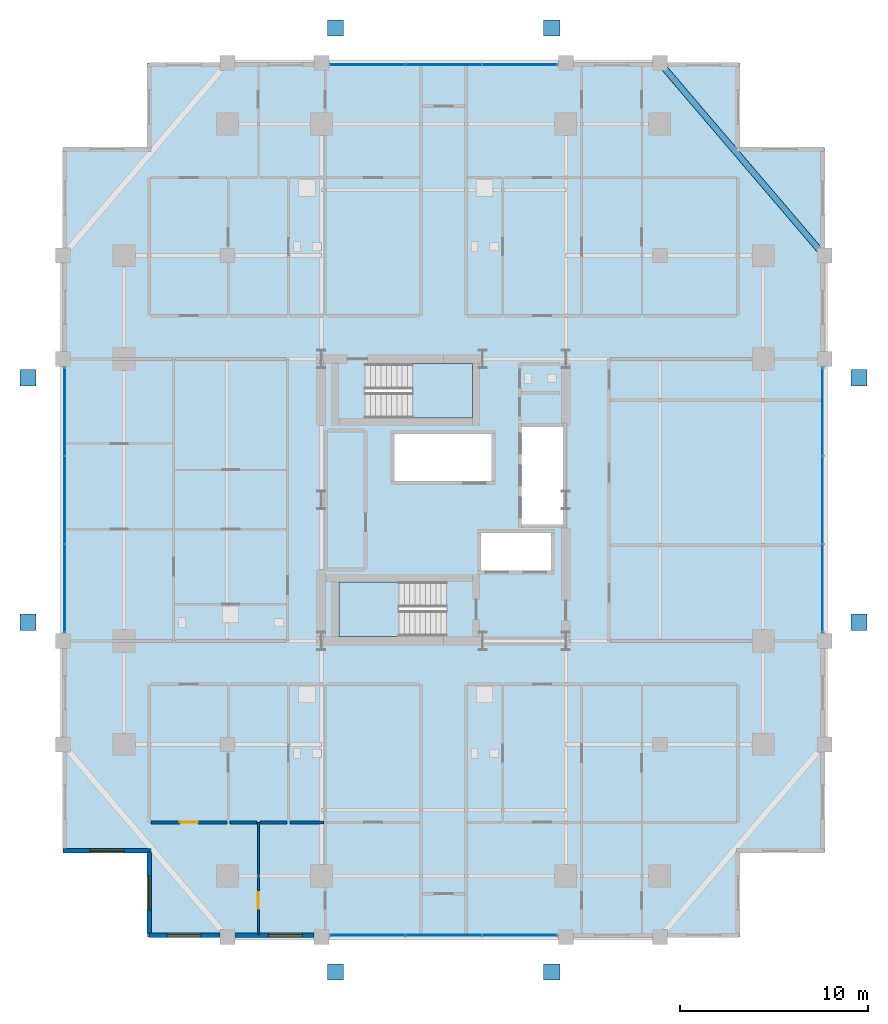
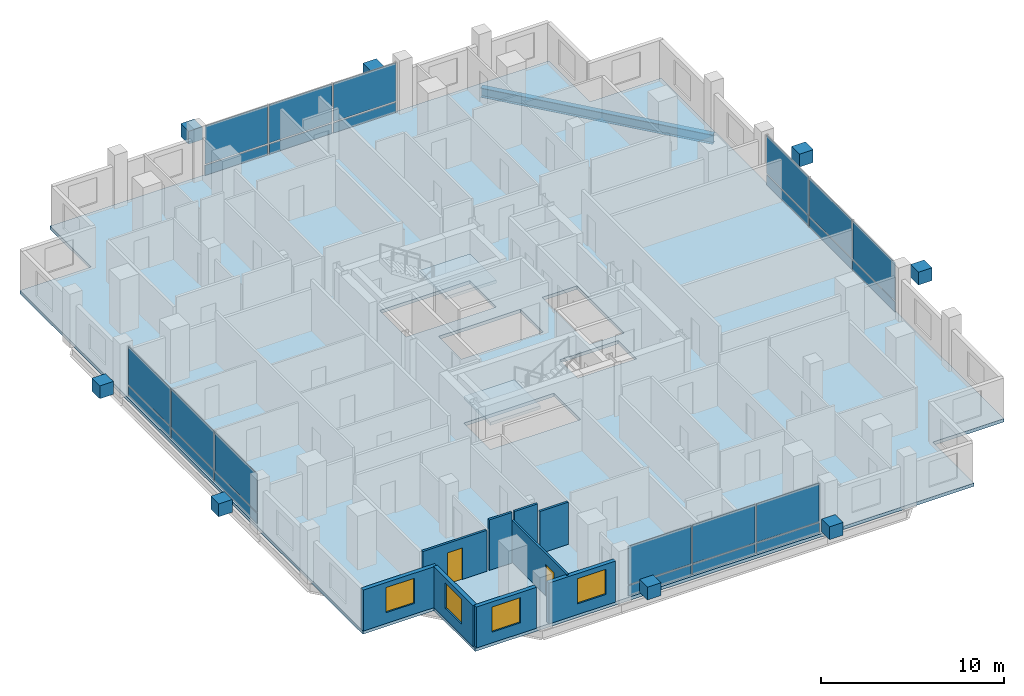
# One storey, part 13 of 20: 32 plates, 9 walls, 4 windows, 3 slabs, 2 doors, 1 beam, 6 openings, 6 elements without a shape of their own.
"""IFC4 building model written with IfcOpenShell, lengths in metres."""

from ifc_helpers import new_model, si_unit, direction, frame, frame_2d, origin, origin_2d, place, context, subcontext, project, spatial, polyline, rectangle, i_section, outline, extrude, material, layer, layer_set, material_profile, profile_set, type_object, element, fill, aggregate, save


model = new_model("IFC4")

# Units and contexts
model_context = context("Model", 3, precision=1e-05, world=origin(), true_north=direction((0.0, 1.0)))
body_context = subcontext(model_context, "Body", "Model", "MODEL_VIEW")
ifc_project = project(units=[si_unit("LENGTHUNIT", "METRE"), si_unit("AREAUNIT", "SQUARE_METRE"), si_unit("VOLUMEUNIT", "CUBIC_METRE"), si_unit("PLANEANGLEUNIT", "RADIAN"), si_unit("MASSUNIT", "GRAM", prefix="KILO")], contexts=[model_context])

# Site, building, storey
site_placement = place(None, origin())
site = spatial("IfcSite", under=ifc_project, at=site_placement, CompositionType="ELEMENT")
building_placement = place(site_placement, origin())
building = spatial("IfcBuilding", under=site, at=building_placement, Name="Barlavira Tower and Art Museum", CompositionType="ELEMENT")
storey_placement = place(building_placement, frame((0.0, 0.0, 136.800048828125)))
storey = spatial("IfcBuildingStorey", under=building, at=storey_placement, Name="L34", CompositionType="ELEMENT", Elevation=136.800048828125)

# Beam
ifc_material_1 = material(Name="Steel S355", Category="steel")
ifc_material_profile = material_profile(ifc_material_1, i_section(OverallWidth=0.327880859375, OverallDepth=0.62890625, WebThickness=0.013916015625, FlangeThickness=0.021484375, at=origin_2d()), Name="W610x174.0")
ifc_profile_set = profile_set([ifc_material_profile], Name="Steel S355")
beam_type = type_object("IfcBeamType", Name="Perimeter Spandrel Edge Beam W610x174 Steel S355", PredefinedType="SPANDREL", material=ifc_profile_set)
beam_placement = place(storey_placement, frame((20.25, 13.0, -0.53466796875), z_axis=(-0.649262379928, 0.760564502202, 0.0), x_axis=(-0.760564502202, -0.649262379928, 0.0)))
element("IfcBeam", 1, at=beam_placement, inside=storey, type_object=beam_type, Name="L34 Spandrel 8", PredefinedType="SPANDREL", context=body_context, shape_type="SweptSolid", body=[
    extrude(i_section(OverallWidth=0.327880859375, OverallDepth=0.62890625, WebThickness=0.013916015625, FlangeThickness=0.021484375, at=origin_2d()), origin(), (0.0, 0.0, 1.0), 13.476806640625),
])

# Curtain wall, plates
ifc_material_2 = material(Name="Low-iron coastal laminated glass", Category="glass")
ifc_layer_1 = layer(ifc_material_2, 0.18994140625, Name="Low-iron coastal laminated glass")
ifc_layer_set_1 = layer_set([ifc_layer_1], Name="Low-iron coastal laminated glass")
curtain_wall_type = type_object("IfcCurtainWallType", Name="Pale-Metal Unitised Curtain Wall Zone 2", PredefinedType="NOTDEFINED", material=ifc_layer_set_1)
curtain_wall_1_placement = place(storey_placement, origin())
curtain_wall_1 = element("IfcCurtainWall", 2, at=curtain_wall_1_placement, inside=storey, type_object=curtain_wall_type, Name="L34 Curtain Wall CW2-L34-S-B3", PredefinedType="NOTDEFINED")
ifc_material_3 = material(Name="Pale anodised aluminium", Category="aluminium")
ifc_layer_2 = layer(ifc_material_3, 0.044921875, Name="Pale anodised aluminium")
ifc_layer_set_2 = layer_set([ifc_layer_2], Name="Pale anodised aluminium")
plate_type_1 = type_object("IfcPlateType", Name="Curtain Wall Pale-Metal Spandrel Panel 45", PredefinedType="CURTAIN_PANEL", material=ifc_layer_set_2)
plate_1_placement = place(storey_placement, frame((-4.05322265625, -23.14990234375, 0.0400390625), z_axis=(0.0, 0.0, 1.0), x_axis=(1.0, 0.0, 0.0)))
plate_1 = element("IfcPlate", 3, at=plate_1_placement, type_object=plate_type_1, Name="CW2-L34-S-B3 Spandrel Panel 0", PredefinedType="CURTAIN_PANEL", context=body_context, shape_type="SweptSolid", body=[
    extrude(rectangle(XDim=3.953369140625, YDim=0.044921875, at=origin_2d()), origin(), (0.0, 0.0, 1.0), 0.6640625),
])
plate_2_placement = place(storey_placement, frame((0.0, -23.14990234375, 0.0400390625), z_axis=(0.0, 0.0, 1.0), x_axis=(1.0, 0.0, 0.0)))
plate_2 = element("IfcPlate", 4, at=plate_2_placement, type_object=plate_type_1, Name="CW2-L34-S-B3 Spandrel Panel 1", PredefinedType="CURTAIN_PANEL", context=body_context, shape_type="SweptSolid", body=[
    extrude(rectangle(XDim=3.953369140625, YDim=0.044921875, at=origin_2d()), origin(), (0.0, 0.0, 1.0), 0.6640625),
])
plate_3_placement = place(storey_placement, frame((4.05322265625, -23.14990234375, 0.0400390625), z_axis=(0.0, 0.0, 1.0), x_axis=(1.0, 0.0, 0.0)))
plate_3 = element("IfcPlate", 5, at=plate_3_placement, type_object=plate_type_1, Name="CW2-L34-S-B3 Spandrel Panel 2", PredefinedType="CURTAIN_PANEL", context=body_context, shape_type="SweptSolid", body=[
    extrude(rectangle(XDim=3.953369140625, YDim=0.044921875, at=origin_2d()), origin(), (0.0, 0.0, 1.0), 0.6640625),
])

curtain_wall_2_placement = place(storey_placement, origin())
curtain_wall_2 = element("IfcCurtainWall", 6, at=curtain_wall_2_placement, inside=storey, type_object=curtain_wall_type, Name="L34 Curtain Wall CW2-L34-N-B3", PredefinedType="NOTDEFINED")
plate_4_placement = place(storey_placement, frame((4.05322265625, 23.14990234375, 0.0400390625), z_axis=(0.0, 0.0, 1.0), x_axis=(-1.0, 0.0, 0.0)))
plate_4 = element("IfcPlate", 7, at=plate_4_placement, type_object=plate_type_1, Name="CW2-L34-N-B3 Spandrel Panel 0", PredefinedType="CURTAIN_PANEL", context=body_context, shape_type="SweptSolid", body=[
    extrude(rectangle(XDim=3.953369140625, YDim=0.044921875, at=origin_2d()), origin(), (0.0, 0.0, 1.0), 0.6640625),
])
plate_5_placement = place(storey_placement, frame((0.0, 23.14990234375, 0.0400390625), z_axis=(0.0, 0.0, 1.0), x_axis=(-1.0, 0.0, 0.0)))
plate_5 = element("IfcPlate", 8, at=plate_5_placement, type_object=plate_type_1, Name="CW2-L34-N-B3 Spandrel Panel 1", PredefinedType="CURTAIN_PANEL", context=body_context, shape_type="SweptSolid", body=[
    extrude(rectangle(XDim=3.953369140625, YDim=0.044921875, at=origin_2d()), origin(), (0.0, 0.0, 1.0), 0.6640625),
])
plate_6_placement = place(storey_placement, frame((-4.05322265625, 23.14990234375, 0.0400390625), z_axis=(0.0, 0.0, 1.0), x_axis=(-1.0, 0.0, 0.0)))
plate_6 = element("IfcPlate", 9, at=plate_6_placement, type_object=plate_type_1, Name="CW2-L34-N-B3 Spandrel Panel 2", PredefinedType="CURTAIN_PANEL", context=body_context, shape_type="SweptSolid", body=[
    extrude(rectangle(XDim=3.953369140625, YDim=0.044921875, at=origin_2d()), origin(), (0.0, 0.0, 1.0), 0.6640625),
])

curtain_wall_3_placement = place(storey_placement, origin())
curtain_wall_3 = element("IfcCurtainWall", 10, at=curtain_wall_3_placement, inside=storey, type_object=curtain_wall_type, Name="L34 Curtain Wall CW2-L34-W-B3", PredefinedType="NOTDEFINED")
plate_7_placement = place(storey_placement, frame((-20.14990234375, 4.719970703125, 0.0400390625), z_axis=(0.0, 0.0, 1.0), x_axis=(0.0, -1.0, 0.0)))
plate_7 = element("IfcPlate", 11, at=plate_7_placement, type_object=plate_type_1, Name="CW2-L34-W-B3 Spandrel Panel 0", PredefinedType="CURTAIN_PANEL", context=body_context, shape_type="SweptSolid", body=[
    extrude(rectangle(XDim=4.6201171875, YDim=0.044921875, at=origin_2d()), origin(), (0.0, 0.0, 1.0), 0.6640625),
])
plate_8_placement = place(storey_placement, frame((-20.14990234375, 0.0, 0.0400390625), z_axis=(0.0, 0.0, 1.0), x_axis=(0.0, -1.0, 0.0)))
plate_8 = element("IfcPlate", 12, at=plate_8_placement, type_object=plate_type_1, Name="CW2-L34-W-B3 Spandrel Panel 1", PredefinedType="CURTAIN_PANEL", context=body_context, shape_type="SweptSolid", body=[
    extrude(rectangle(XDim=4.6201171875, YDim=0.044921875, at=origin_2d()), origin(), (0.0, 0.0, 1.0), 0.6640625),
])
plate_9_placement = place(storey_placement, frame((-20.14990234375, -4.719970703125, 0.0400390625), z_axis=(0.0, 0.0, 1.0), x_axis=(0.0, -1.0, 0.0)))
plate_9 = element("IfcPlate", 13, at=plate_9_placement, type_object=plate_type_1, Name="CW2-L34-W-B3 Spandrel Panel 2", PredefinedType="CURTAIN_PANEL", context=body_context, shape_type="SweptSolid", body=[
    extrude(rectangle(XDim=4.6201171875, YDim=0.044921875, at=origin_2d()), origin(), (0.0, 0.0, 1.0), 0.6640625),
])

curtain_wall_4_placement = place(storey_placement, origin())
curtain_wall_4 = element("IfcCurtainWall", 14, at=curtain_wall_4_placement, inside=storey, type_object=curtain_wall_type, Name="L34 Curtain Wall CW2-L34-E-B3", PredefinedType="NOTDEFINED")
plate_10_placement = place(storey_placement, frame((20.14990234375, -4.719970703125, 0.0400390625), z_axis=(0.0, 0.0, 1.0), x_axis=(0.0, 1.0, 0.0)))
plate_10 = element("IfcPlate", 15, at=plate_10_placement, type_object=plate_type_1, Name="CW2-L34-E-B3 Spandrel Panel 0", PredefinedType="CURTAIN_PANEL", context=body_context, shape_type="SweptSolid", body=[
    extrude(rectangle(XDim=4.6201171875, YDim=0.044921875, at=origin_2d()), origin(), (0.0, 0.0, 1.0), 0.6640625),
])
plate_11_placement = place(storey_placement, frame((20.14990234375, 0.0, 0.0400390625), z_axis=(0.0, 0.0, 1.0), x_axis=(0.0, 1.0, 0.0)))
plate_11 = element("IfcPlate", 16, at=plate_11_placement, type_object=plate_type_1, Name="CW2-L34-E-B3 Spandrel Panel 1", PredefinedType="CURTAIN_PANEL", context=body_context, shape_type="SweptSolid", body=[
    extrude(rectangle(XDim=4.6201171875, YDim=0.044921875, at=origin_2d()), origin(), (0.0, 0.0, 1.0), 0.6640625),
])
plate_12_placement = place(storey_placement, frame((20.14990234375, 4.719970703125, 0.0400390625), z_axis=(0.0, 0.0, 1.0), x_axis=(0.0, 1.0, 0.0)))
plate_12 = element("IfcPlate", 17, at=plate_12_placement, type_object=plate_type_1, Name="CW2-L34-E-B3 Spandrel Panel 2", PredefinedType="CURTAIN_PANEL", context=body_context, shape_type="SweptSolid", body=[
    extrude(rectangle(XDim=4.6201171875, YDim=0.044921875, at=origin_2d()), origin(), (0.0, 0.0, 1.0), 0.6640625),
])

# Plate
ifc_layer_3 = layer(ifc_material_2, 0.028076171875, Name="Low-iron coastal laminated glass")
ifc_layer_set_3 = layer_set([ifc_layer_3], Name="Low-iron coastal laminated glass")
plate_type_2 = type_object("IfcPlateType", Name="Curtain Wall Vision Glazing Panel 28", PredefinedType="CURTAIN_PANEL", material=ifc_layer_set_3)
plate_13_placement = place(storey_placement, frame((-4.05322265625, -23.14990234375, 0.7841796875), z_axis=(0.0, 0.0, 1.0), x_axis=(1.0, 0.0, 0.0)))
plate_13 = element("IfcPlate", 18, at=plate_13_placement, type_object=plate_type_2, Name="CW2-L34-S-B3 Vision Glass Panel 0", PredefinedType="CURTAIN_PANEL", context=body_context, shape_type="SweptSolid", body=[
    extrude(rectangle(XDim=3.953369140625, YDim=0.028076171875, at=origin_2d()), origin(), (0.0, 0.0, 1.0), 2.555908203125),
])

plate_14_placement = place(storey_placement, frame((0.0, -23.14990234375, 0.7841796875), z_axis=(0.0, 0.0, 1.0), x_axis=(1.0, 0.0, 0.0)))
plate_14 = element("IfcPlate", 19, at=plate_14_placement, type_object=plate_type_2, Name="CW2-L34-S-B3 Vision Glass Panel 1", PredefinedType="CURTAIN_PANEL", context=body_context, shape_type="SweptSolid", body=[
    extrude(rectangle(XDim=3.953369140625, YDim=0.028076171875, at=origin_2d()), origin(), (0.0, 0.0, 1.0), 2.555908203125),
])

plate_15_placement = place(storey_placement, frame((4.05322265625, -23.14990234375, 0.7841796875), z_axis=(0.0, 0.0, 1.0), x_axis=(1.0, 0.0, 0.0)))
plate_15 = element("IfcPlate", 20, at=plate_15_placement, type_object=plate_type_2, Name="CW2-L34-S-B3 Vision Glass Panel 2", PredefinedType="CURTAIN_PANEL", context=body_context, shape_type="SweptSolid", body=[
    extrude(rectangle(XDim=3.953369140625, YDim=0.028076171875, at=origin_2d()), origin(), (0.0, 0.0, 1.0), 2.555908203125),
])

aggregate(curtain_wall_1, [plate_1, plate_13, plate_2, plate_14, plate_3, plate_15])

plate_16_placement = place(storey_placement, frame((4.05322265625, 23.14990234375, 0.7841796875), z_axis=(0.0, 0.0, 1.0), x_axis=(-1.0, 0.0, 0.0)))
plate_16 = element("IfcPlate", 21, at=plate_16_placement, type_object=plate_type_2, Name="CW2-L34-N-B3 Vision Glass Panel 0", PredefinedType="CURTAIN_PANEL", context=body_context, shape_type="SweptSolid", body=[
    extrude(rectangle(XDim=3.953369140625, YDim=0.028076171875, at=origin_2d()), origin(), (0.0, 0.0, 1.0), 2.555908203125),
])

plate_17_placement = place(storey_placement, frame((0.0, 23.14990234375, 0.7841796875), z_axis=(0.0, 0.0, 1.0), x_axis=(-1.0, 0.0, 0.0)))
plate_17 = element("IfcPlate", 22, at=plate_17_placement, type_object=plate_type_2, Name="CW2-L34-N-B3 Vision Glass Panel 1", PredefinedType="CURTAIN_PANEL", context=body_context, shape_type="SweptSolid", body=[
    extrude(rectangle(XDim=3.953369140625, YDim=0.028076171875, at=origin_2d()), origin(), (0.0, 0.0, 1.0), 2.555908203125),
])

plate_18_placement = place(storey_placement, frame((-4.05322265625, 23.14990234375, 0.7841796875), z_axis=(0.0, 0.0, 1.0), x_axis=(-1.0, 0.0, 0.0)))
plate_18 = element("IfcPlate", 23, at=plate_18_placement, type_object=plate_type_2, Name="CW2-L34-N-B3 Vision Glass Panel 2", PredefinedType="CURTAIN_PANEL", context=body_context, shape_type="SweptSolid", body=[
    extrude(rectangle(XDim=3.953369140625, YDim=0.028076171875, at=origin_2d()), origin(), (0.0, 0.0, 1.0), 2.555908203125),
])

aggregate(curtain_wall_2, [plate_4, plate_16, plate_5, plate_17, plate_6, plate_18])

plate_19_placement = place(storey_placement, frame((-20.14990234375, 4.719970703125, 0.7841796875), z_axis=(0.0, 0.0, 1.0), x_axis=(0.0, -1.0, 0.0)))
plate_19 = element("IfcPlate", 24, at=plate_19_placement, type_object=plate_type_2, Name="CW2-L34-W-B3 Vision Glass Panel 0", PredefinedType="CURTAIN_PANEL", context=body_context, shape_type="SweptSolid", body=[
    extrude(rectangle(XDim=4.6201171875, YDim=0.028076171875, at=origin_2d()), origin(), (0.0, 0.0, 1.0), 2.555908203125),
])

plate_20_placement = place(storey_placement, frame((-20.14990234375, 0.0, 0.7841796875), z_axis=(0.0, 0.0, 1.0), x_axis=(0.0, -1.0, 0.0)))
plate_20 = element("IfcPlate", 25, at=plate_20_placement, type_object=plate_type_2, Name="CW2-L34-W-B3 Vision Glass Panel 1", PredefinedType="CURTAIN_PANEL", context=body_context, shape_type="SweptSolid", body=[
    extrude(rectangle(XDim=4.6201171875, YDim=0.028076171875, at=origin_2d()), origin(), (0.0, 0.0, 1.0), 2.555908203125),
])

plate_21_placement = place(storey_placement, frame((-20.14990234375, -4.719970703125, 0.7841796875), z_axis=(0.0, 0.0, 1.0), x_axis=(0.0, -1.0, 0.0)))
plate_21 = element("IfcPlate", 26, at=plate_21_placement, type_object=plate_type_2, Name="CW2-L34-W-B3 Vision Glass Panel 2", PredefinedType="CURTAIN_PANEL", context=body_context, shape_type="SweptSolid", body=[
    extrude(rectangle(XDim=4.6201171875, YDim=0.028076171875, at=origin_2d()), origin(), (0.0, 0.0, 1.0), 2.555908203125),
])

aggregate(curtain_wall_3, [plate_7, plate_19, plate_8, plate_20, plate_9, plate_21])

plate_22_placement = place(storey_placement, frame((20.14990234375, -4.719970703125, 0.7841796875), z_axis=(0.0, 0.0, 1.0), x_axis=(0.0, 1.0, 0.0)))
plate_22 = element("IfcPlate", 27, at=plate_22_placement, type_object=plate_type_2, Name="CW2-L34-E-B3 Vision Glass Panel 0", PredefinedType="CURTAIN_PANEL", context=body_context, shape_type="SweptSolid", body=[
    extrude(rectangle(XDim=4.6201171875, YDim=0.028076171875, at=origin_2d()), origin(), (0.0, 0.0, 1.0), 2.555908203125),
])

plate_23_placement = place(storey_placement, frame((20.14990234375, 0.0, 0.7841796875), z_axis=(0.0, 0.0, 1.0), x_axis=(0.0, 1.0, 0.0)))
plate_23 = element("IfcPlate", 28, at=plate_23_placement, type_object=plate_type_2, Name="CW2-L34-E-B3 Vision Glass Panel 1", PredefinedType="CURTAIN_PANEL", context=body_context, shape_type="SweptSolid", body=[
    extrude(rectangle(XDim=4.6201171875, YDim=0.028076171875, at=origin_2d()), origin(), (0.0, 0.0, 1.0), 2.555908203125),
])

plate_24_placement = place(storey_placement, frame((20.14990234375, 4.719970703125, 0.7841796875), z_axis=(0.0, 0.0, 1.0), x_axis=(0.0, 1.0, 0.0)))
plate_24 = element("IfcPlate", 29, at=plate_24_placement, type_object=plate_type_2, Name="CW2-L34-E-B3 Vision Glass Panel 2", PredefinedType="CURTAIN_PANEL", context=body_context, shape_type="SweptSolid", body=[
    extrude(rectangle(XDim=4.6201171875, YDim=0.028076171875, at=origin_2d()), origin(), (0.0, 0.0, 1.0), 2.555908203125),
])

aggregate(curtain_wall_4, [plate_10, plate_22, plate_11, plate_23, plate_12, plate_24])

# Plates
ifc_layer_4 = layer(ifc_material_1, 0.860107421875, Name="Steel S355")
ifc_layer_set_4 = layer_set([ifc_layer_4], Name="Steel S355")
plate_type_3 = type_object("IfcPlateType", Name="Exoskeleton Solid Steel Node Cap Plate Assembly Type 2 Steel S355", PredefinedType="USERDEFINED", material=ifc_layer_set_4)
for number, where, z_axis, x_axis, name in (
    (30, (-5.75, -25.10009765625, 1.25), (0.0, 0.0, 1.0), (1.0, 0.0, 0.0), "Exoskeleton Diamond Node S1 ND-L34-0348"),
    (31, (5.75, -25.10009765625, 1.25), (0.0, 0.0, 1.0), (1.0, 0.0, 0.0), "Exoskeleton Diamond Node S2 ND-L34-0349"),
    (32, (-5.75, 25.10009765625, 1.25), (0.0, 0.0, 1.0), (1.0, 0.0, 0.0), "Exoskeleton Diamond Node N1 ND-L34-0356"),
    (33, (5.75, 25.10009765625, 1.25), (0.0, 0.0, 1.0), (1.0, 0.0, 0.0), "Exoskeleton Diamond Node N2 ND-L34-0357"),
    (34, (-22.10009765625, -6.5, 1.25), (0.0, 0.0, 1.0), (1.0, 0.0, 0.0), "Exoskeleton Diamond Node W1 ND-L34-0364"),
    (35, (-22.10009765625, 6.5, 1.25), (0.0, 0.0, 1.0), (1.0, 0.0, 0.0), "Exoskeleton Diamond Node W2 ND-L34-0365"),
    (36, (22.10009765625, -6.5, 1.25), (0.0, 0.0, 1.0), (1.0, 0.0, 0.0), "Exoskeleton Diamond Node E1 ND-L34-0372"),
    (37, (22.10009765625, 6.5, 1.25), (0.0, 0.0, 1.0), (1.0, 0.0, 0.0), "Exoskeleton Diamond Node E2 ND-L34-0373"),
):
    element("IfcPlate", number, at=place(storey_placement, frame(where, z_axis=z_axis, x_axis=x_axis)), inside=storey, type_object=plate_type_3, Name=name, ObjectType="FLANGE_PLATE", PredefinedType="USERDEFINED", context=body_context, shape_type="SweptSolid", body=[
        extrude(rectangle(XDim=0.860107421875, YDim=0.860107421875, at=origin_2d()), origin(), (0.0, 0.0, 1.0), 0.860107421875),
    ])

# Stair, slab
ifc_material_4 = material(Name="Concrete C45", Category="concrete")
stair_type_1 = type_object("IfcStairType", Name="Tower North Dog-Leg Exit Stair Assembly Concrete C45", PredefinedType="TWO_QUARTER_TURN_STAIR", material=ifc_material_4)
stair_1_placement = place(storey_placement, origin())
stair_1 = element("IfcStair", 38, at=stair_1_placement, inside=storey, type_object=stair_type_1, Name="L34 Tower North Exit Stair ST-T2", PredefinedType="TWO_QUARTER_TURN_STAIR")
ifc_layer_5 = layer(ifc_material_4, 0.199951171875, Name="Concrete C45")
ifc_layer_set_5 = layer_set([ifc_layer_5], Name="Concrete C45")
slab_type_1 = type_object("IfcSlabType", Name="Tower North Dog-Leg Exit Stair Half-Landing Slab 200 Concrete C45", PredefinedType="LANDING", material=ifc_layer_set_5)
slab_1_placement = place(storey_placement, frame((0.0, 0.0, 1.599853515625)))
slab_1 = element("IfcSlab", 39, at=slab_1_placement, type_object=slab_type_1, Name="ST-T2 landing 1", PredefinedType="LANDING", context=body_context, shape_type="SweptSolid", body=[
    extrude(outline(polyline([(-1.64990234375, 4.35009765625), (1.530029296875, 4.35009765625), (1.530029296875, 7.25), (-1.64990234375, 7.25), (-1.64990234375, 4.35009765625)])), origin(), (0.0, 0.0, 1.0), 0.2001953125),
])
aggregate(stair_1, [slab_1])

stair_type_2 = type_object("IfcStairType", Name="Tower South Dog-Leg Exit Stair Assembly Concrete C45", PredefinedType="TWO_QUARTER_TURN_STAIR", material=ifc_material_4)
stair_2_placement = place(storey_placement, origin())
stair_2 = element("IfcStair", 40, at=stair_2_placement, inside=storey, type_object=stair_type_2, Name="L34 Tower South Exit Stair ST-T1", PredefinedType="TWO_QUARTER_TURN_STAIR")
ifc_layer_6 = layer(ifc_material_4, 0.199951171875, Name="Concrete C45")
ifc_layer_set_6 = layer_set([ifc_layer_6], Name="Concrete C45")
slab_type_2 = type_object("IfcSlabType", Name="Tower South Dog-Leg Exit Stair Half-Landing Slab 200 Concrete C45", PredefinedType="LANDING", material=ifc_layer_set_6)
slab_2_placement = place(storey_placement, frame((0.0, 0.0, 1.599853515625)))
slab_2 = element("IfcSlab", 41, at=slab_2_placement, type_object=slab_type_2, Name="ST-T1 landing 1", PredefinedType="LANDING", context=body_context, shape_type="SweptSolid", body=[
    extrude(outline(polyline([(-2.3701171875, -4.35009765625), (-5.550048828125, -4.35009765625), (-5.550048828125, -7.25), (-2.3701171875, -7.25), (-2.3701171875, -4.35009765625)])), origin(), (0.0, 0.0, 1.0), 0.2001953125),
])
aggregate(stair_2, [slab_2])

# Slab
ifc_material_5 = material(Name="Concrete C50", Category="concrete")
ifc_layer_7 = layer(ifc_material_5, 0.2099609375, Name="Concrete C50")
ifc_layer_set_7 = layer_set([ifc_layer_7], Name="Concrete C50")
slab_type_3 = type_object("IfcSlabType", Name="Zone 2 Residential Composite Slab 210 Concrete C50", PredefinedType="FLOOR", material=ifc_layer_set_7)
slab_3_placement = place(storey_placement, frame((0.0, 0.0, -0.219970703125)))
element("IfcSlab", 42, at=slab_3_placement, inside=storey, type_object=slab_type_3, Name="L34 Tower Floor Slab", PredefinedType="FLOOR", context=body_context, shape_type="SweptSolid", body=[
    extrude(outline(polyline([(-15.75, -23.25), (15.75, -23.25), (15.75, -18.75), (20.25, -18.75), (20.25, 18.75), (15.75, 18.75), (15.75, 23.25), (-15.75, 23.25), (-15.75, 18.75), (-20.25, 18.75), (-20.25, -18.75), (-15.75, -18.75), (-15.75, -23.25)]), holes=[polyline([(0.14990234375, -4.35009765625), (-5.550048828125, -4.35009765625), (-5.550048828125, -7.25), (0.14990234375, -7.25), (0.14990234375, -4.35009765625)]), polyline([(-4.169921875, 4.35009765625), (1.530029296875, 4.35009765625), (1.530029296875, 7.25), (-4.169921875, 7.25), (-4.169921875, 4.35009765625)]), polyline([(4.14990234375, -1.2900390625), (6.35009765625, -1.2900390625), (6.35009765625, 3.889892578125), (4.14990234375, 3.889892578125), (4.14990234375, -1.2900390625)]), polyline([(-2.6201171875, 1.0), (2.56005859375, 1.0), (2.56005859375, 3.5), (-2.6201171875, 3.5), (-2.6201171875, 1.0)]), polyline([(2.0, -3.75), (5.699951171875, -3.75), (5.699951171875, -1.75), (2.0, -1.75), (2.0, -3.75)])]), origin(), (0.0, 0.0, 1.0), 0.219970703125),
])

# Wall, opening, door
ifc_material_6 = material(Name="Gypsum acoustic stud partition", Category="gypsum")
ifc_layer_8 = layer(ifc_material_6, 0.1201171875, Name="Gypsum acoustic stud partition")
ifc_layer_set_8 = layer_set([ifc_layer_8], Name="Gypsum acoustic stud partition")
wall_type_1 = type_object("IfcWallType", Name="Apartment Internal Acoustic Partition 120", PredefinedType="PARTITIONING", material=ifc_layer_set_8)
wall_1_placement = place(storey_placement, frame((-9.85009765625, -23.14990234375, 0.0), z_axis=(0.0, 0.0, 1.0), x_axis=(0.0, 1.0, 0.0)))
wall_1 = element("IfcWall", 43, at=wall_1_placement, inside=storey, type_object=wall_type_1, Name="L34 Partition Wall 6", PredefinedType="PARTITIONING", context=body_context, shape_type="SweptSolid", body=[
    extrude(rectangle(XDim=6.0, YDim=0.1201171875, at=frame_2d((3.0, 0.0))), origin(), (0.0, 0.0, 1.0), 2.81591796875),
])
opening_1_placement = place(wall_1_placement, frame((1.39892578125, 0.0, 0.0)))
opening_1 = element("IfcOpeningElement", 44, at=opening_1_placement, cuts=wall_1, Name="Opening D-01", PredefinedType="OPENING", context=body_context, shape_type="SweptSolid", body=[
    extrude(rectangle(XDim=0.89990234375, YDim=2.10009765625, at=frame_2d((0.449951171875, 1.050048828125))), frame((0.0, 0.070068359375, 0.0), z_axis=(0.0, -1.0, 0.0), x_axis=(1.0, 0.0, 0.0)), (0.0, 0.0, 1.0), 0.14013671875),
])
ifc_material_7 = material(Name="Engineered coastal hardwood", Category="wood")
door_type_1 = type_object("IfcDoorType", Name="Internal Bedroom Timber Flush Door 900x2100", OperationType="NOTDEFINED", PredefinedType="DOOR", material=ifc_material_7)
door_1_placement = place(opening_1_placement, origin())
door_1 = element("IfcDoor", 45, at=door_1_placement, inside=storey, type_object=door_type_1, Name="Apartment SW1 Bedroom 1 Door", OperationType="SINGLE_SWING_RIGHT", OverallHeight=2.10009765625, OverallWidth=0.89990234375, PredefinedType="DOOR", context=body_context, shape_type="SweptSolid", body=[
    extrude(rectangle(XDim=0.89990234375, YDim=2.10009765625, at=frame_2d((0.449951171875, 1.050048828125))), frame((0.0, 0.02490234375, 0.0), z_axis=(0.0, -1.0, 0.0), x_axis=(1.0, 0.0, 0.0)), (0.0, 0.0, 1.0), 0.050048828125),
])
fill(opening_1, door_1)

ifc_layer_9 = layer(ifc_material_6, 0.139892578125, Name="Gypsum acoustic stud partition")
ifc_layer_set_9 = layer_set([ifc_layer_9], Name="Gypsum acoustic stud partition")
wall_type_2 = type_object("IfcWallType", Name="Moisture-Resistant Bathroom Partition 140", PredefinedType="PARTITIONING", material=ifc_layer_set_9)
wall_2_placement = place(storey_placement, frame((-15.570068359375, -17.14990234375, 0.0), z_axis=(0.0, 0.0, 1.0), x_axis=(1.0, 0.0, 0.0)))
wall_2 = element("IfcWall", 46, at=wall_2_placement, inside=storey, type_object=wall_type_2, Name="L34 Partition Wall 30", PredefinedType="PARTITIONING", context=body_context, shape_type="SweptSolid", body=[
    extrude(rectangle(XDim=4.0400390625, YDim=0.139892578125, at=frame_2d((2.02001953125, 0.0))), origin(), (0.0, 0.0, 1.0), 2.73583984375),
])
opening_2_placement = place(wall_2_placement, frame((1.544921875, 0.0, 0.0)))
opening_2 = element("IfcOpeningElement", 47, at=opening_2_placement, cuts=wall_2, Name="Opening D-02", PredefinedType="OPENING", context=body_context, shape_type="SweptSolid", body=[
    extrude(rectangle(XDim=0.949951171875, YDim=2.10009765625, at=frame_2d((0.47509765625, 1.050048828125))), frame((0.0, 0.080078125, 0.0), z_axis=(0.0, -1.0, 0.0), x_axis=(1.0, 0.0, 0.0)), (0.0, 0.0, 1.0), 0.159912109375),
])
door_type_2 = type_object("IfcDoorType", Name="Living and Salon Glazed-Leaf Door 950x2100", OperationType="NOTDEFINED", PredefinedType="DOOR", material=ifc_material_7)
door_2_placement = place(opening_2_placement, origin())
door_2 = element("IfcDoor", 48, at=door_2_placement, inside=storey, type_object=door_type_2, Name="Apartment SW1 Living Lounge Door", OperationType="SINGLE_SWING_LEFT", OverallHeight=2.10009765625, OverallWidth=0.949951171875, PredefinedType="DOOR", context=body_context, shape_type="SweptSolid", body=[
    extrude(rectangle(XDim=0.949951171875, YDim=2.10009765625, at=frame_2d((0.47509765625, 1.050048828125))), frame((0.0, 0.02490234375, 0.0), z_axis=(0.0, -1.0, 0.0), x_axis=(1.0, 0.0, 0.0)), (0.0, 0.0, 1.0), 0.050048828125),
])
fill(opening_2, door_2)

# Walls
wall_3_placement = place(storey_placement, frame((-11.3701171875, -17.14990234375, 0.0), z_axis=(0.0, 0.0, 1.0), x_axis=(1.0, 0.0, 0.0)))
element("IfcWall", 49, at=wall_3_placement, inside=storey, type_object=wall_type_2, Name="L34 Partition Wall 31", PredefinedType="PARTITIONING", context=body_context, shape_type="SweptSolid", body=[
    extrude(rectangle(XDim=1.440185546875, YDim=0.139892578125, at=frame_2d((0.72021484375, 0.0))), origin(), (0.0, 0.0, 1.0), 3.3798828125),
])
wall_4_placement = place(storey_placement, frame((-9.77001953125, -17.14990234375, 0.0), z_axis=(0.0, 0.0, 1.0), x_axis=(1.0, 0.0, 0.0)))
element("IfcWall", 50, at=wall_4_placement, inside=storey, type_object=wall_type_2, Name="L34 Partition Wall 32", PredefinedType="PARTITIONING", context=body_context, shape_type="SweptSolid", body=[
    extrude(rectangle(XDim=1.43994140625, YDim=0.139892578125, at=frame_2d((0.719970703125, 0.0))), origin(), (0.0, 0.0, 1.0), 3.3798828125),
])
wall_5_placement = place(storey_placement, frame((-8.169921875, -17.14990234375, 0.0), z_axis=(0.0, 0.0, 1.0), x_axis=(1.0, 0.0, 0.0)))
element("IfcWall", 51, at=wall_5_placement, inside=storey, type_object=wall_type_2, Name="L34 Partition Wall 33", PredefinedType="PARTITIONING", context=body_context, shape_type="SweptSolid", body=[
    extrude(rectangle(XDim=1.7900390625, YDim=0.139892578125, at=frame_2d((0.89501953125, 0.0))), origin(), (0.0, 0.0, 1.0), 2.81591796875),
])

# Wall, opening, window
ifc_material_8 = material(Name="Precast concrete C40", Category="concrete")
ifc_layer_10 = layer(ifc_material_8, 0.25, Name="Precast concrete C40")
ifc_layer_set_10 = layer_set([ifc_layer_10], Name="Precast concrete C40")
wall_type_3 = type_object("IfcWallType", Name="Notched Corner Spandrel Wall 250 Precast Concrete C40", PredefinedType="SOLIDWALL", material=ifc_layer_set_10)
wall_6_placement = place(storey_placement, frame((-15.675048828125, -23.14990234375, 0.0), z_axis=(0.0, 0.0, 1.0), x_axis=(1.0, 0.0, 0.0)))
wall_6 = element("IfcWall", 52, at=wall_6_placement, inside=storey, type_object=wall_type_3, Name="L34 Coastal Facade Pier Wall CW2-L34-S-1", PredefinedType="SOLIDWALL", context=body_context, shape_type="SweptSolid", body=[
    extrude(rectangle(XDim=3.780029296875, YDim=0.25, at=frame_2d((1.89013671875, 0.0))), origin(), (0.0, 0.0, 1.0), 2.73583984375),
])
opening_3_placement = place(wall_6_placement, frame((0.968017578125, 0.0, 0.719970703125)))
opening_3 = element("IfcOpeningElement", 53, at=opening_3_placement, cuts=wall_6, Name="Opening WN-01", PredefinedType="OPENING", context=body_context, shape_type="SweptSolid", body=[
    extrude(rectangle(XDim=1.800048828125, YDim=1.679931640625, at=frame_2d((0.89990234375, 0.83984375))), frame((0.0, 0.135009765625, 0.0), z_axis=(0.0, -1.0, 0.0), x_axis=(1.0, 0.0, 0.0)), (0.0, 0.0, 1.0), 0.27001953125),
])
window_type = type_object("IfcWindowType", Name="Recessed Notch Corner Punch Window 1800x1680", PartitioningType="SINGLE_PANEL", PredefinedType="WINDOW", material=ifc_material_2)
window_1_placement = place(opening_3_placement, origin())
window_1 = element("IfcWindow", 54, at=window_1_placement, inside=storey, type_object=window_type, Name="L34 Punched Facade Window EWP-CW2-L34-S-1-1", OverallHeight=1.679931640625, OverallWidth=1.800048828125, PartitioningType="SINGLE_PANEL", PredefinedType="WINDOW", context=body_context, shape_type="SweptSolid", body=[
    extrude(rectangle(XDim=1.800048828125, YDim=1.679931640625, at=frame_2d((0.89990234375, 0.83984375))), frame((0.0, 0.030029296875, 0.0), z_axis=(0.0, -1.0, 0.0), x_axis=(1.0, 0.0, 0.0)), (0.0, 0.0, 1.0), 0.06005859375),
])
fill(opening_3, window_1)

wall_7_placement = place(storey_placement, frame((-11.10498046875, -23.14990234375, 0.0), z_axis=(0.0, 0.0, 1.0), x_axis=(1.0, 0.0, 0.0)))
wall_7 = element("IfcWall", 55, at=wall_7_placement, inside=storey, type_object=wall_type_3, Name="L34 Coastal Facade Pier Wall CW2-L34-S-2", PredefinedType="SOLIDWALL", context=body_context, shape_type="SweptSolid", body=[
    extrude(rectangle(XDim=4.2099609375, YDim=0.25, at=frame_2d((2.10498046875, 0.0))), origin(), (0.0, 0.0, 1.0), 2.73583984375),
])
opening_4_placement = place(wall_7_placement, frame((1.800048828125, 0.0, 0.719970703125)))
opening_4 = element("IfcOpeningElement", 56, at=opening_4_placement, cuts=wall_7, Name="Opening WN-01", PredefinedType="OPENING", context=body_context, shape_type="SweptSolid", body=[
    extrude(rectangle(XDim=1.800048828125, YDim=1.679931640625, at=frame_2d((0.89990234375, 0.83984375))), frame((0.0, 0.135009765625, 0.0), z_axis=(0.0, -1.0, 0.0), x_axis=(1.0, 0.0, 0.0)), (0.0, 0.0, 1.0), 0.27001953125),
])
window_2_placement = place(opening_4_placement, origin())
window_2 = element("IfcWindow", 57, at=window_2_placement, inside=storey, type_object=window_type, Name="L34 Punched Facade Window EWP-CW2-L34-S-2-1", OverallHeight=1.679931640625, OverallWidth=1.800048828125, PartitioningType="SINGLE_PANEL", PredefinedType="WINDOW", context=body_context, shape_type="SweptSolid", body=[
    extrude(rectangle(XDim=1.800048828125, YDim=1.679931640625, at=frame_2d((0.89990234375, 0.83984375))), frame((0.0, 0.030029296875, 0.0), z_axis=(0.0, -1.0, 0.0), x_axis=(1.0, 0.0, 0.0)), (0.0, 0.0, 1.0), 0.06005859375),
])
fill(opening_4, window_2)

wall_8_placement = place(storey_placement, frame((-20.22998046875, -18.64990234375, 0.0), z_axis=(0.0, 0.0, 1.0), x_axis=(1.0, 0.0, 0.0)))
wall_8 = element("IfcWall", 58, at=wall_8_placement, inside=storey, type_object=wall_type_3, Name="L34 Notch Corner Wall SW1", PredefinedType="SOLIDWALL", context=body_context, shape_type="SweptSolid", body=[
    extrude(rectangle(XDim=4.659912109375, YDim=0.25, at=frame_2d((2.330078125, 0.0))), origin(), (0.0, 0.0, 1.0), 2.73583984375),
])
opening_5_placement = place(wall_8_placement, frame((1.429931640625, 0.0, 0.719970703125)))
opening_5 = element("IfcOpeningElement", 59, at=opening_5_placement, cuts=wall_8, Name="Opening WN-01", PredefinedType="OPENING", context=body_context, shape_type="SweptSolid", body=[
    extrude(rectangle(XDim=1.800048828125, YDim=1.679931640625, at=frame_2d((0.89990234375, 0.83984375))), frame((0.0, 0.135009765625, 0.0), z_axis=(0.0, -1.0, 0.0), x_axis=(1.0, 0.0, 0.0)), (0.0, 0.0, 1.0), 0.27001953125),
])
window_3_placement = place(opening_5_placement, origin())
window_3 = element("IfcWindow", 60, at=window_3_placement, inside=storey, type_object=window_type, Name="L34 Punched Facade Window EW-NTC-L34-SW1-1", OverallHeight=1.679931640625, OverallWidth=1.800048828125, PartitioningType="SINGLE_PANEL", PredefinedType="WINDOW", context=body_context, shape_type="SweptSolid", body=[
    extrude(rectangle(XDim=1.800048828125, YDim=1.679931640625, at=frame_2d((0.89990234375, 0.83984375))), frame((0.0, 0.030029296875, 0.0), z_axis=(0.0, -1.0, 0.0), x_axis=(1.0, 0.0, 0.0)), (0.0, 0.0, 1.0), 0.06005859375),
])
fill(opening_5, window_3)

wall_9_placement = place(storey_placement, frame((-15.64990234375, -18.72998046875, 0.0), z_axis=(0.0, 0.0, 1.0), x_axis=(0.0, -1.0, 0.0)))
wall_9 = element("IfcWall", 61, at=wall_9_placement, inside=storey, type_object=wall_type_3, Name="L34 Notch Corner Wall SW2", PredefinedType="SOLIDWALL", context=body_context, shape_type="SweptSolid", body=[
    extrude(rectangle(XDim=4.340087890625, YDim=0.25, at=frame_2d((2.169921875, 0.0))), origin(), (0.0, 0.0, 1.0), 2.73583984375),
])
opening_6_placement = place(wall_9_placement, frame((1.27001953125, 0.0, 0.719970703125)))
opening_6 = element("IfcOpeningElement", 62, at=opening_6_placement, cuts=wall_9, Name="Opening WN-01", PredefinedType="OPENING", context=body_context, shape_type="SweptSolid", body=[
    extrude(rectangle(XDim=1.800048828125, YDim=1.679931640625, at=frame_2d((0.89990234375, 0.83984375))), frame((0.0, 0.135009765625, 0.0), z_axis=(0.0, -1.0, 0.0), x_axis=(1.0, 0.0, 0.0)), (0.0, 0.0, 1.0), 0.27001953125),
])
window_4_placement = place(opening_6_placement, origin())
window_4 = element("IfcWindow", 63, at=window_4_placement, inside=storey, type_object=window_type, Name="L34 Punched Facade Window EW-NTC-L34-SW2-1", OverallHeight=1.679931640625, OverallWidth=1.800048828125, PartitioningType="SINGLE_PANEL", PredefinedType="WINDOW", context=body_context, shape_type="SweptSolid", body=[
    extrude(rectangle(XDim=1.800048828125, YDim=1.679931640625, at=frame_2d((0.89990234375, 0.83984375))), frame((0.0, 0.030029296875, 0.0), z_axis=(0.0, -1.0, 0.0), x_axis=(1.0, 0.0, 0.0)), (0.0, 0.0, 1.0), 0.06005859375),
])
fill(opening_6, window_4)

save(model, "model.ifc")
